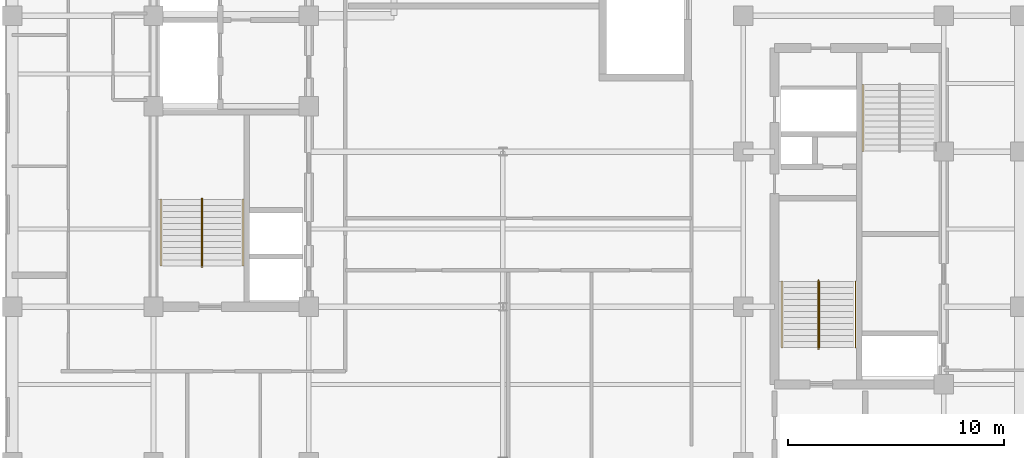
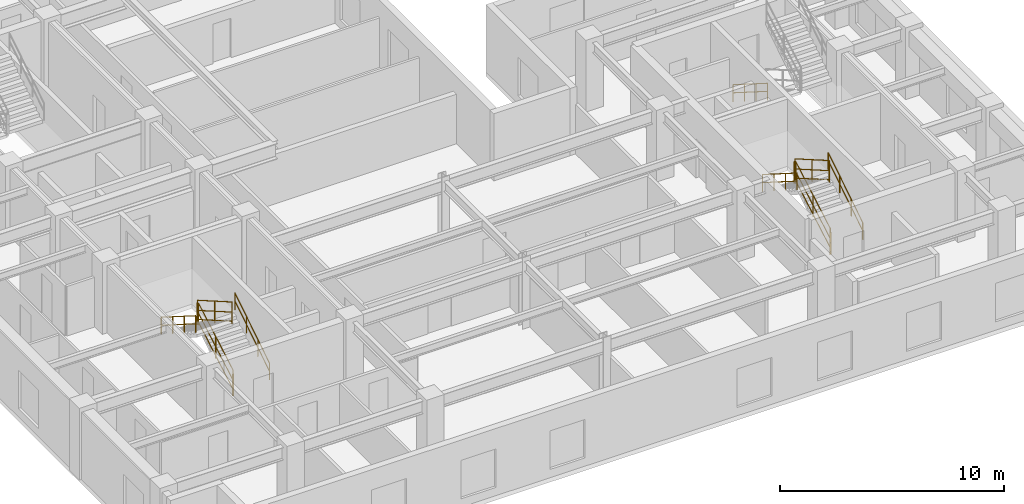
# One storey, part 8 of 10: 13 railings.
"""IFC4 building model written with IfcOpenShell, lengths in metres."""

from ifc_helpers import new_model, entity, si_unit, converted_unit, direction, frame, origin_with_axes, origin_2d_with_axis, place, context, subcontext, project, spatial, rectangle, circle, extrude, material, type_object, element, save


model = new_model("IFC4")

# Units and contexts
model_context = context("Model", 3, precision=1e-05, world=origin_with_axes(), true_north=direction((0.0, 1.0)))
body_context = subcontext(model_context, "Body", "Model", "MODEL_VIEW")
ifc_project = project(units=[si_unit("LENGTHUNIT", "METRE"), si_unit("AREAUNIT", "SQUARE_METRE"), si_unit("VOLUMEUNIT", "CUBIC_METRE"), converted_unit("PLANEANGLEUNIT", "DEGREE", entity("IfcPlaneAngleMeasure", 0.017453292519943295), si_unit("PLANEANGLEUNIT", "RADIAN"), dimensions=[0, 0, 0, 0, 0, 0, 0]), si_unit("MASSUNIT", "GRAM", prefix="KILO"), si_unit("THERMODYNAMICTEMPERATUREUNIT", "KELVIN")], contexts=[model_context])

# Site, building, storey
site_placement = place(None, origin_with_axes())
site = spatial("IfcSite", under=ifc_project, at=site_placement, CompositionType="ELEMENT")
building_placement = place(site_placement, origin_with_axes())
building = spatial("IfcBuilding", under=site, at=building_placement, Name="Varnlund Millrace Tower", CompositionType="ELEMENT")
storey_placement = place(building_placement, frame((0.0, 0.0, 228.6), z_axis=(0.0, 0.0, 1.0), x_axis=(1.0, 0.0, 0.0)))
storey = spatial("IfcBuildingStorey", under=building, at=storey_placement, Name="L56", CompositionType="ELEMENT", Elevation=228.6)

# Railings
ifc_material_1 = material(Name="Painted steel stair well balustrade guard", Category="steel")
railing_type_1 = type_object("IfcRailingType", Name="Type-StairGuard-1150", PredefinedType="GUARDRAIL", material=ifc_material_1)
railing_1_placement = place(storey_placement, frame((0.0, 0.0, -228.6), z_axis=(0.0, 0.0, 1.0), x_axis=(1.0, 0.0, 0.0)))
element("IfcRailing", 1, at=railing_1_placement, inside=storey, type_object=railing_type_1, Name="Type-StairGuard-1150", PredefinedType="GUARDRAIL", context=body_context, shape_type="SweptSolid", body=[
    extrude(circle(Radius=0.024, at=origin_2d_with_axis()), frame((13.675, 12.7, 229.927273), z_axis=(0.0, 0.866696, 0.498836), x_axis=(-1.0, 0.0, 0.0)), (0.0, 0.0, 1.0), 3.553725),
    extrude(circle(Radius=0.024, at=origin_2d_with_axis()), frame((13.675, 12.7, 228.877273), z_axis=(0.0, 0.866696, 0.498836), x_axis=(-1.0, 0.0, 0.0)), (0.0, 0.0, 1.0), 3.553725),
    extrude(circle(Radius=0.024, at=origin_2d_with_axis()), frame((13.675, 12.7, 229.375273), z_axis=(0.0, 0.866696, 0.498836), x_axis=(-1.0, 0.0, 0.0)), (0.0, 0.0, 1.0), 3.553725),
    extrude(rectangle(XDim=0.04, YDim=0.04, at=origin_2d_with_axis()), frame((13.675, 12.7, 228.737273), z_axis=(0.0, 0.0, 1.0), x_axis=(1.0, 0.0, 0.0)), (0.0, 0.0, 1.0), 1.19),
    extrude(rectangle(XDim=0.04, YDim=0.04, at=origin_2d_with_axis()), frame((13.675, 14.24, 229.623636), z_axis=(0.0, 0.0, 1.0), x_axis=(1.0, 0.0, 0.0)), (0.0, 0.0, 1.0), 1.19),
    extrude(rectangle(XDim=0.04, YDim=0.04, at=origin_2d_with_axis()), frame((13.675, 15.78, 230.51), z_axis=(0.0, 0.0, 1.0), x_axis=(1.0, 0.0, 0.0)), (0.0, 0.0, 1.0), 1.19),
])
railing_2_placement = place(storey_placement, frame((0.0, 0.0, -228.6), z_axis=(0.0, 0.0, 1.0), x_axis=(1.0, 0.0, 0.0)))
element("IfcRailing", 2, at=railing_2_placement, inside=storey, type_object=railing_type_1, Name="Type-StairGuard-1150", PredefinedType="GUARDRAIL", context=body_context, shape_type="SweptSolid", body=[
    extrude(circle(Radius=0.024, at=origin_2d_with_axis()), frame((13.625, 15.83, 231.7), z_axis=(1.0, 0.0, 0.0), x_axis=(0.0, 1.0, 0.0)), (0.0, 0.0, 1.0), 0.05),
    extrude(circle(Radius=0.024, at=origin_2d_with_axis()), frame((13.625, 15.83, 230.65), z_axis=(1.0, 0.0, 0.0), x_axis=(0.0, 1.0, 0.0)), (0.0, 0.0, 1.0), 0.05),
    extrude(circle(Radius=0.024, at=origin_2d_with_axis()), frame((13.625, 15.83, 231.148), z_axis=(1.0, 0.0, 0.0), x_axis=(0.0, 1.0, 0.0)), (0.0, 0.0, 1.0), 0.05),
    extrude(rectangle(XDim=0.04, YDim=0.04, at=origin_2d_with_axis()), frame((13.625, 15.83, 230.51), z_axis=(0.0, 0.0, 1.0), x_axis=(1.0, 0.0, 0.0)), (0.0, 0.0, 1.0), 1.19),
    extrude(rectangle(XDim=0.04, YDim=0.04, at=origin_2d_with_axis()), frame((13.675, 15.83, 230.51), z_axis=(0.0, 0.0, 1.0), x_axis=(1.0, 0.0, 0.0)), (0.0, 0.0, 1.0), 1.19),
])
railing_3_placement = place(storey_placement, frame((0.0, 0.0, -228.6), z_axis=(0.0, 0.0, 1.0), x_axis=(1.0, 0.0, 0.0)))
element("IfcRailing", 3, at=railing_3_placement, inside=storey, type_object=railing_type_1, Name="Type-StairGuard-1150", PredefinedType="GUARDRAIL", context=body_context, shape_type="SweptSolid", body=[
    extrude(circle(Radius=0.024, at=origin_2d_with_axis()), frame((13.625, 15.78, 231.877273), z_axis=(0.0, -0.866696, 0.498836), x_axis=(1.0, 0.0, 0.0)), (0.0, 0.0, 1.0), 3.553725),
    extrude(circle(Radius=0.024, at=origin_2d_with_axis()), frame((13.625, 15.78, 230.827273), z_axis=(0.0, -0.866696, 0.498836), x_axis=(1.0, 0.0, 0.0)), (0.0, 0.0, 1.0), 3.553725),
    extrude(circle(Radius=0.024, at=origin_2d_with_axis()), frame((13.625, 15.78, 231.325273), z_axis=(0.0, -0.866696, 0.498836), x_axis=(1.0, 0.0, 0.0)), (0.0, 0.0, 1.0), 3.553725),
    extrude(rectangle(XDim=0.04, YDim=0.04, at=origin_2d_with_axis()), frame((13.625, 15.78, 230.687273), z_axis=(0.0, 0.0, 1.0), x_axis=(1.0, 0.0, 0.0)), (0.0, 0.0, 1.0), 1.19),
    extrude(rectangle(XDim=0.04, YDim=0.04, at=origin_2d_with_axis()), frame((13.625, 14.24, 231.573636), z_axis=(0.0, 0.0, 1.0), x_axis=(1.0, 0.0, 0.0)), (0.0, 0.0, 1.0), 1.19),
    extrude(rectangle(XDim=0.04, YDim=0.04, at=origin_2d_with_axis()), frame((13.625, 12.7, 232.46), z_axis=(0.0, 0.0, 1.0), x_axis=(1.0, 0.0, 0.0)), (0.0, 0.0, 1.0), 1.19),
])
railing_4_placement = place(storey_placement, frame((0.0, 0.0, -228.6), z_axis=(0.0, 0.0, 1.0), x_axis=(1.0, 0.0, 0.0)))
element("IfcRailing", 4, at=railing_4_placement, inside=storey, type_object=railing_type_1, Name="Type-StairGuard-1150", PredefinedType="GUARDRAIL", context=body_context, shape_type="SweptSolid", body=[
    extrude(circle(Radius=0.024, at=origin_2d_with_axis()), frame((13.625, 12.65, 229.75), z_axis=(1.0, 0.0, 0.0), x_axis=(0.0, 1.0, 0.0)), (0.0, 0.0, 1.0), 0.05),
    extrude(circle(Radius=0.024, at=origin_2d_with_axis()), frame((13.625, 12.65, 228.7), z_axis=(1.0, 0.0, 0.0), x_axis=(0.0, 1.0, 0.0)), (0.0, 0.0, 1.0), 0.05),
    extrude(circle(Radius=0.024, at=origin_2d_with_axis()), frame((13.625, 12.65, 229.198), z_axis=(1.0, 0.0, 0.0), x_axis=(0.0, 1.0, 0.0)), (0.0, 0.0, 1.0), 0.05),
    extrude(rectangle(XDim=0.04, YDim=0.04, at=origin_2d_with_axis()), frame((13.625, 12.65, 228.56), z_axis=(0.0, 0.0, 1.0), x_axis=(1.0, 0.0, 0.0)), (0.0, 0.0, 1.0), 1.19),
    extrude(rectangle(XDim=0.04, YDim=0.04, at=origin_2d_with_axis()), frame((13.675, 12.65, 228.56), z_axis=(0.0, 0.0, 1.0), x_axis=(1.0, 0.0, 0.0)), (0.0, 0.0, 1.0), 1.19),
])
railing_5_placement = place(storey_placement, frame((0.0, 0.0, -228.6), z_axis=(0.0, 0.0, 1.0), x_axis=(1.0, 0.0, 0.0)))
element("IfcRailing", 5, at=railing_5_placement, inside=storey, type_object=railing_type_1, Name="Type-StairGuard-1150", PredefinedType="GUARDRAIL", context=body_context, shape_type="SweptSolid", body=[
    extrude(circle(Radius=0.024, at=origin_2d_with_axis()), frame((42.275, 8.9, 229.927273), z_axis=(0.0, 0.866696, 0.498836), x_axis=(-1.0, 0.0, 0.0)), (0.0, 0.0, 1.0), 3.553725),
    extrude(circle(Radius=0.024, at=origin_2d_with_axis()), frame((42.275, 8.9, 228.877273), z_axis=(0.0, 0.866696, 0.498836), x_axis=(-1.0, 0.0, 0.0)), (0.0, 0.0, 1.0), 3.553725),
    extrude(circle(Radius=0.024, at=origin_2d_with_axis()), frame((42.275, 8.9, 229.375273), z_axis=(0.0, 0.866696, 0.498836), x_axis=(-1.0, 0.0, 0.0)), (0.0, 0.0, 1.0), 3.553725),
    extrude(rectangle(XDim=0.04, YDim=0.04, at=origin_2d_with_axis()), frame((42.275, 8.9, 228.737273), z_axis=(0.0, 0.0, 1.0), x_axis=(1.0, 0.0, 0.0)), (0.0, 0.0, 1.0), 1.19),
    extrude(rectangle(XDim=0.04, YDim=0.04, at=origin_2d_with_axis()), frame((42.275, 10.44, 229.623636), z_axis=(0.0, 0.0, 1.0), x_axis=(1.0, 0.0, 0.0)), (0.0, 0.0, 1.0), 1.19),
    extrude(rectangle(XDim=0.04, YDim=0.04, at=origin_2d_with_axis()), frame((42.275, 11.98, 230.51), z_axis=(0.0, 0.0, 1.0), x_axis=(1.0, 0.0, 0.0)), (0.0, 0.0, 1.0), 1.19),
])
railing_6_placement = place(storey_placement, frame((0.0, 0.0, -228.6), z_axis=(0.0, 0.0, 1.0), x_axis=(1.0, 0.0, 0.0)))
element("IfcRailing", 6, at=railing_6_placement, inside=storey, type_object=railing_type_1, Name="Type-StairGuard-1150", PredefinedType="GUARDRAIL", context=body_context, shape_type="SweptSolid", body=[
    extrude(circle(Radius=0.024, at=origin_2d_with_axis()), frame((42.225, 12.03, 231.7), z_axis=(1.0, 0.0, 0.0), x_axis=(0.0, 1.0, 0.0)), (0.0, 0.0, 1.0), 0.05),
    extrude(circle(Radius=0.024, at=origin_2d_with_axis()), frame((42.225, 12.03, 230.65), z_axis=(1.0, 0.0, 0.0), x_axis=(0.0, 1.0, 0.0)), (0.0, 0.0, 1.0), 0.05),
    extrude(circle(Radius=0.024, at=origin_2d_with_axis()), frame((42.225, 12.03, 231.148), z_axis=(1.0, 0.0, 0.0), x_axis=(0.0, 1.0, 0.0)), (0.0, 0.0, 1.0), 0.05),
    extrude(rectangle(XDim=0.04, YDim=0.04, at=origin_2d_with_axis()), frame((42.225, 12.03, 230.51), z_axis=(0.0, 0.0, 1.0), x_axis=(1.0, 0.0, 0.0)), (0.0, 0.0, 1.0), 1.19),
    extrude(rectangle(XDim=0.04, YDim=0.04, at=origin_2d_with_axis()), frame((42.275, 12.03, 230.51), z_axis=(0.0, 0.0, 1.0), x_axis=(1.0, 0.0, 0.0)), (0.0, 0.0, 1.0), 1.19),
])
railing_7_placement = place(storey_placement, frame((0.0, 0.0, -228.6), z_axis=(0.0, 0.0, 1.0), x_axis=(1.0, 0.0, 0.0)))
element("IfcRailing", 7, at=railing_7_placement, inside=storey, type_object=railing_type_1, Name="Type-StairGuard-1150", PredefinedType="GUARDRAIL", context=body_context, shape_type="SweptSolid", body=[
    extrude(circle(Radius=0.024, at=origin_2d_with_axis()), frame((42.225, 11.98, 231.877273), z_axis=(0.0, -0.866696, 0.498836), x_axis=(1.0, 0.0, 0.0)), (0.0, 0.0, 1.0), 3.553725),
    extrude(circle(Radius=0.024, at=origin_2d_with_axis()), frame((42.225, 11.98, 230.827273), z_axis=(0.0, -0.866696, 0.498836), x_axis=(1.0, 0.0, 0.0)), (0.0, 0.0, 1.0), 3.553725),
    extrude(circle(Radius=0.024, at=origin_2d_with_axis()), frame((42.225, 11.98, 231.325273), z_axis=(0.0, -0.866696, 0.498836), x_axis=(1.0, 0.0, 0.0)), (0.0, 0.0, 1.0), 3.553725),
    extrude(rectangle(XDim=0.04, YDim=0.04, at=origin_2d_with_axis()), frame((42.225, 11.98, 230.687273), z_axis=(0.0, 0.0, 1.0), x_axis=(1.0, 0.0, 0.0)), (0.0, 0.0, 1.0), 1.19),
    extrude(rectangle(XDim=0.04, YDim=0.04, at=origin_2d_with_axis()), frame((42.225, 10.44, 231.573636), z_axis=(0.0, 0.0, 1.0), x_axis=(1.0, 0.0, 0.0)), (0.0, 0.0, 1.0), 1.19),
    extrude(rectangle(XDim=0.04, YDim=0.04, at=origin_2d_with_axis()), frame((42.225, 8.9, 232.46), z_axis=(0.0, 0.0, 1.0), x_axis=(1.0, 0.0, 0.0)), (0.0, 0.0, 1.0), 1.19),
])
railing_8_placement = place(storey_placement, frame((0.0, 0.0, -228.6), z_axis=(0.0, 0.0, 1.0), x_axis=(1.0, 0.0, 0.0)))
element("IfcRailing", 8, at=railing_8_placement, inside=storey, type_object=railing_type_1, Name="Type-StairGuard-1150", PredefinedType="GUARDRAIL", context=body_context, shape_type="SweptSolid", body=[
    extrude(circle(Radius=0.024, at=origin_2d_with_axis()), frame((42.225, 8.85, 229.75), z_axis=(1.0, 0.0, 0.0), x_axis=(0.0, 1.0, 0.0)), (0.0, 0.0, 1.0), 0.05),
    extrude(circle(Radius=0.024, at=origin_2d_with_axis()), frame((42.225, 8.85, 228.7), z_axis=(1.0, 0.0, 0.0), x_axis=(0.0, 1.0, 0.0)), (0.0, 0.0, 1.0), 0.05),
    extrude(circle(Radius=0.024, at=origin_2d_with_axis()), frame((42.225, 8.85, 229.198), z_axis=(1.0, 0.0, 0.0), x_axis=(0.0, 1.0, 0.0)), (0.0, 0.0, 1.0), 0.05),
    extrude(rectangle(XDim=0.04, YDim=0.04, at=origin_2d_with_axis()), frame((42.225, 8.85, 228.56), z_axis=(0.0, 0.0, 1.0), x_axis=(1.0, 0.0, 0.0)), (0.0, 0.0, 1.0), 1.19),
    extrude(rectangle(XDim=0.04, YDim=0.04, at=origin_2d_with_axis()), frame((42.275, 8.85, 228.56), z_axis=(0.0, 0.0, 1.0), x_axis=(1.0, 0.0, 0.0)), (0.0, 0.0, 1.0), 1.19),
])
ifc_material_2 = material(Name="Brushed architectural bronze stair handrail", Category="aluminium")
railing_type_2 = type_object("IfcRailingType", Name="Type-StairHandrail-900", PredefinedType="HANDRAIL", material=ifc_material_2)
railing_9_placement = place(storey_placement, frame((0.0, 0.0, -228.6), z_axis=(0.0, 0.0, 1.0), x_axis=(1.0, 0.0, 0.0)))
element("IfcRailing", 9, at=railing_9_placement, inside=storey, type_object=railing_type_2, Name="Type-StairHandrail-900", PredefinedType="HANDRAIL", context=body_context, shape_type="SweptSolid", body=[
    extrude(circle(Radius=0.024, at=origin_2d_with_axis()), frame((15.55, 12.7, 229.656995), z_axis=(0.0, 0.844902, 0.534922), x_axis=(-1.0, 0.0, 0.0)), (0.0, 0.0, 1.0), 3.645394),
    extrude(circle(Radius=0.024, at=origin_2d_with_axis()), frame((15.55, 12.7, 229.217134), z_axis=(0.0, 0.844902, 0.534922), x_axis=(-1.0, 0.0, 0.0)), (0.0, 0.0, 1.0), 3.645394),
    extrude(rectangle(XDim=0.04, YDim=0.04, at=origin_2d_with_axis()), frame((15.55, 12.7, 228.737273), z_axis=(0.0, 0.0, 1.0), x_axis=(1.0, 0.0, 0.0)), (0.0, 0.0, 1.0), 0.919722),
    extrude(rectangle(XDim=0.04, YDim=0.04, at=origin_2d_with_axis()), frame((15.55, 13.726667, 229.387273), z_axis=(0.0, 0.0, 1.0), x_axis=(1.0, 0.0, 0.0)), (0.0, 0.0, 1.0), 0.919722),
    extrude(rectangle(XDim=0.04, YDim=0.04, at=origin_2d_with_axis()), frame((15.55, 14.753333, 230.037273), z_axis=(0.0, 0.0, 1.0), x_axis=(1.0, 0.0, 0.0)), (0.0, 0.0, 1.0), 0.919722),
    extrude(rectangle(XDim=0.04, YDim=0.04, at=origin_2d_with_axis()), frame((15.55, 15.78, 230.687273), z_axis=(0.0, 0.0, 1.0), x_axis=(1.0, 0.0, 0.0)), (0.0, 0.0, 1.0), 0.919722),
])
railing_10_placement = place(storey_placement, frame((0.0, 0.0, -228.6), z_axis=(0.0, 0.0, 1.0), x_axis=(1.0, 0.0, 0.0)))
element("IfcRailing", 10, at=railing_10_placement, inside=storey, type_object=railing_type_2, Name="Type-StairHandrail-900", PredefinedType="HANDRAIL", context=body_context, shape_type="SweptSolid", body=[
    extrude(circle(Radius=0.024, at=origin_2d_with_axis()), frame((11.75, 15.78, 231.606995), z_axis=(0.0, -0.844902, 0.534922), x_axis=(1.0, 0.0, 0.0)), (0.0, 0.0, 1.0), 3.645394),
    extrude(circle(Radius=0.024, at=origin_2d_with_axis()), frame((11.75, 15.78, 231.167134), z_axis=(0.0, -0.844902, 0.534922), x_axis=(1.0, 0.0, 0.0)), (0.0, 0.0, 1.0), 3.645394),
    extrude(rectangle(XDim=0.04, YDim=0.04, at=origin_2d_with_axis()), frame((11.75, 15.78, 230.687273), z_axis=(0.0, 0.0, 1.0), x_axis=(1.0, 0.0, 0.0)), (0.0, 0.0, 1.0), 0.919722),
    extrude(rectangle(XDim=0.04, YDim=0.04, at=origin_2d_with_axis()), frame((11.75, 14.753333, 231.337273), z_axis=(0.0, 0.0, 1.0), x_axis=(1.0, 0.0, 0.0)), (0.0, 0.0, 1.0), 0.919722),
    extrude(rectangle(XDim=0.04, YDim=0.04, at=origin_2d_with_axis()), frame((11.75, 13.726667, 231.987273), z_axis=(0.0, 0.0, 1.0), x_axis=(1.0, 0.0, 0.0)), (0.0, 0.0, 1.0), 0.919722),
    extrude(rectangle(XDim=0.04, YDim=0.04, at=origin_2d_with_axis()), frame((11.75, 12.7, 232.637273), z_axis=(0.0, 0.0, 1.0), x_axis=(1.0, 0.0, 0.0)), (0.0, 0.0, 1.0), 0.919722),
])
railing_11_placement = place(storey_placement, frame((0.0, 0.0, -228.6), z_axis=(0.0, 0.0, 1.0), x_axis=(1.0, 0.0, 0.0)))
element("IfcRailing", 11, at=railing_11_placement, inside=storey, type_object=railing_type_2, Name="Type-StairHandrail-900", PredefinedType="HANDRAIL", context=body_context, shape_type="SweptSolid", body=[
    extrude(circle(Radius=0.024, at=origin_2d_with_axis()), frame((43.95, 8.9, 229.656995), z_axis=(0.0, 0.844902, 0.534922), x_axis=(-1.0, 0.0, 0.0)), (0.0, 0.0, 1.0), 3.645394),
    extrude(circle(Radius=0.024, at=origin_2d_with_axis()), frame((43.95, 8.9, 229.217134), z_axis=(0.0, 0.844902, 0.534922), x_axis=(-1.0, 0.0, 0.0)), (0.0, 0.0, 1.0), 3.645394),
    extrude(rectangle(XDim=0.04, YDim=0.04, at=origin_2d_with_axis()), frame((43.95, 8.9, 228.737273), z_axis=(0.0, 0.0, 1.0), x_axis=(1.0, 0.0, 0.0)), (0.0, 0.0, 1.0), 0.919722),
    extrude(rectangle(XDim=0.04, YDim=0.04, at=origin_2d_with_axis()), frame((43.95, 9.926667, 229.387273), z_axis=(0.0, 0.0, 1.0), x_axis=(1.0, 0.0, 0.0)), (0.0, 0.0, 1.0), 0.919722),
    extrude(rectangle(XDim=0.04, YDim=0.04, at=origin_2d_with_axis()), frame((43.95, 10.953333, 230.037273), z_axis=(0.0, 0.0, 1.0), x_axis=(1.0, 0.0, 0.0)), (0.0, 0.0, 1.0), 0.919722),
    extrude(rectangle(XDim=0.04, YDim=0.04, at=origin_2d_with_axis()), frame((43.95, 11.98, 230.687273), z_axis=(0.0, 0.0, 1.0), x_axis=(1.0, 0.0, 0.0)), (0.0, 0.0, 1.0), 0.919722),
])
railing_12_placement = place(storey_placement, frame((0.0, 0.0, -228.6), z_axis=(0.0, 0.0, 1.0), x_axis=(1.0, 0.0, 0.0)))
element("IfcRailing", 12, at=railing_12_placement, inside=storey, type_object=railing_type_2, Name="Type-StairHandrail-900", PredefinedType="HANDRAIL", context=body_context, shape_type="SweptSolid", body=[
    extrude(circle(Radius=0.024, at=origin_2d_with_axis()), frame((40.55, 11.98, 231.606995), z_axis=(0.0, -0.844902, 0.534922), x_axis=(1.0, 0.0, 0.0)), (0.0, 0.0, 1.0), 3.645394),
    extrude(circle(Radius=0.024, at=origin_2d_with_axis()), frame((40.55, 11.98, 231.167134), z_axis=(0.0, -0.844902, 0.534922), x_axis=(1.0, 0.0, 0.0)), (0.0, 0.0, 1.0), 3.645394),
    extrude(rectangle(XDim=0.04, YDim=0.04, at=origin_2d_with_axis()), frame((40.55, 11.98, 230.687273), z_axis=(0.0, 0.0, 1.0), x_axis=(1.0, 0.0, 0.0)), (0.0, 0.0, 1.0), 0.919722),
    extrude(rectangle(XDim=0.04, YDim=0.04, at=origin_2d_with_axis()), frame((40.55, 10.953333, 231.337273), z_axis=(0.0, 0.0, 1.0), x_axis=(1.0, 0.0, 0.0)), (0.0, 0.0, 1.0), 0.919722),
    extrude(rectangle(XDim=0.04, YDim=0.04, at=origin_2d_with_axis()), frame((40.55, 9.926667, 231.987273), z_axis=(0.0, 0.0, 1.0), x_axis=(1.0, 0.0, 0.0)), (0.0, 0.0, 1.0), 0.919722),
    extrude(rectangle(XDim=0.04, YDim=0.04, at=origin_2d_with_axis()), frame((40.55, 8.9, 232.637273), z_axis=(0.0, 0.0, 1.0), x_axis=(1.0, 0.0, 0.0)), (0.0, 0.0, 1.0), 0.919722),
])
railing_13_placement = place(storey_placement, frame((0.0, 0.0, -228.6), z_axis=(0.0, 0.0, 1.0), x_axis=(1.0, 0.0, 0.0)))
element("IfcRailing", 13, at=railing_13_placement, inside=storey, type_object=railing_type_2, Name="Type-StairHandrail-900", PredefinedType="HANDRAIL", context=body_context, shape_type="SweptSolid", body=[
    extrude(circle(Radius=0.024, at=origin_2d_with_axis()), frame((44.3, 21.1, 229.656995), z_axis=(0.0, -0.844902, 0.534922), x_axis=(1.0, 0.0, 0.0)), (0.0, 0.0, 1.0), 3.645394),
    extrude(circle(Radius=0.024, at=origin_2d_with_axis()), frame((44.3, 21.1, 229.217134), z_axis=(0.0, -0.844902, 0.534922), x_axis=(1.0, 0.0, 0.0)), (0.0, 0.0, 1.0), 3.645394),
    extrude(rectangle(XDim=0.04, YDim=0.04, at=origin_2d_with_axis()), frame((44.3, 21.1, 228.737273), z_axis=(0.0, 0.0, 1.0), x_axis=(1.0, 0.0, 0.0)), (0.0, 0.0, 1.0), 0.919722),
    extrude(rectangle(XDim=0.04, YDim=0.04, at=origin_2d_with_axis()), frame((44.3, 20.073333, 229.387273), z_axis=(0.0, 0.0, 1.0), x_axis=(1.0, 0.0, 0.0)), (0.0, 0.0, 1.0), 0.919722),
    extrude(rectangle(XDim=0.04, YDim=0.04, at=origin_2d_with_axis()), frame((44.3, 19.046667, 230.037273), z_axis=(0.0, 0.0, 1.0), x_axis=(1.0, 0.0, 0.0)), (0.0, 0.0, 1.0), 0.919722),
    extrude(rectangle(XDim=0.04, YDim=0.04, at=origin_2d_with_axis()), frame((44.3, 18.02, 230.687273), z_axis=(0.0, 0.0, 1.0), x_axis=(1.0, 0.0, 0.0)), (0.0, 0.0, 1.0), 0.919722),
])

save(model, "model.ifc")
